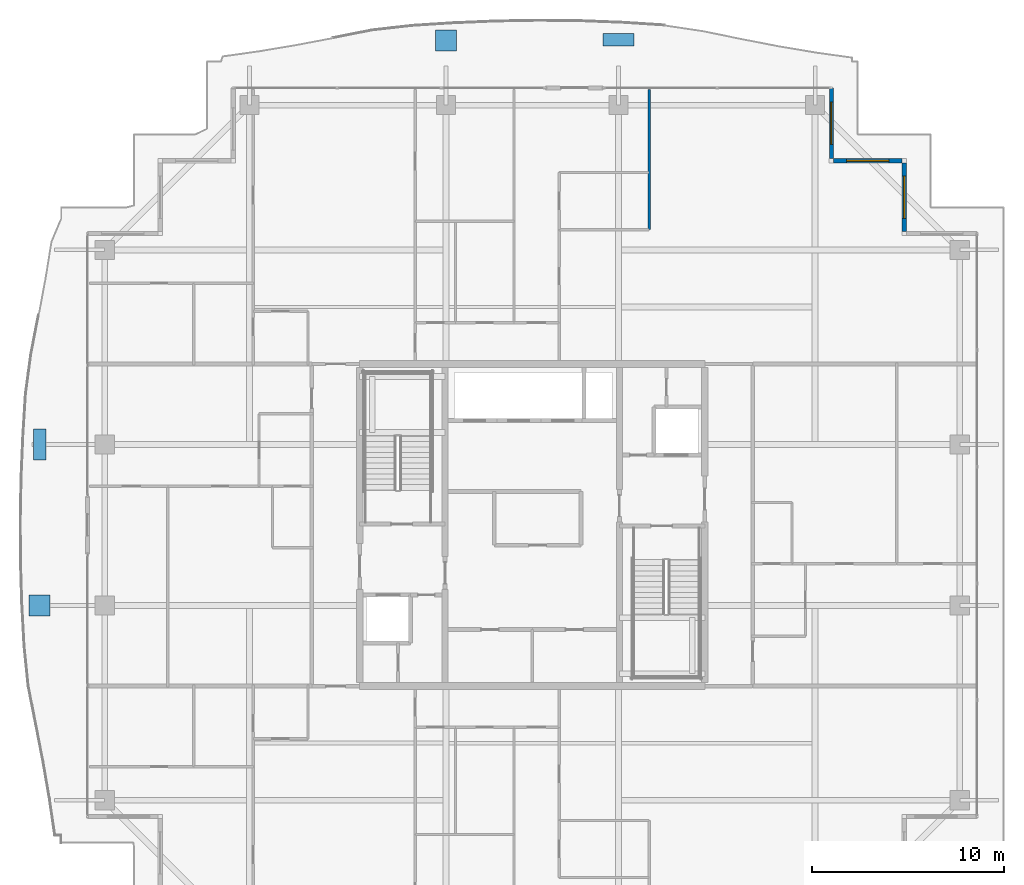
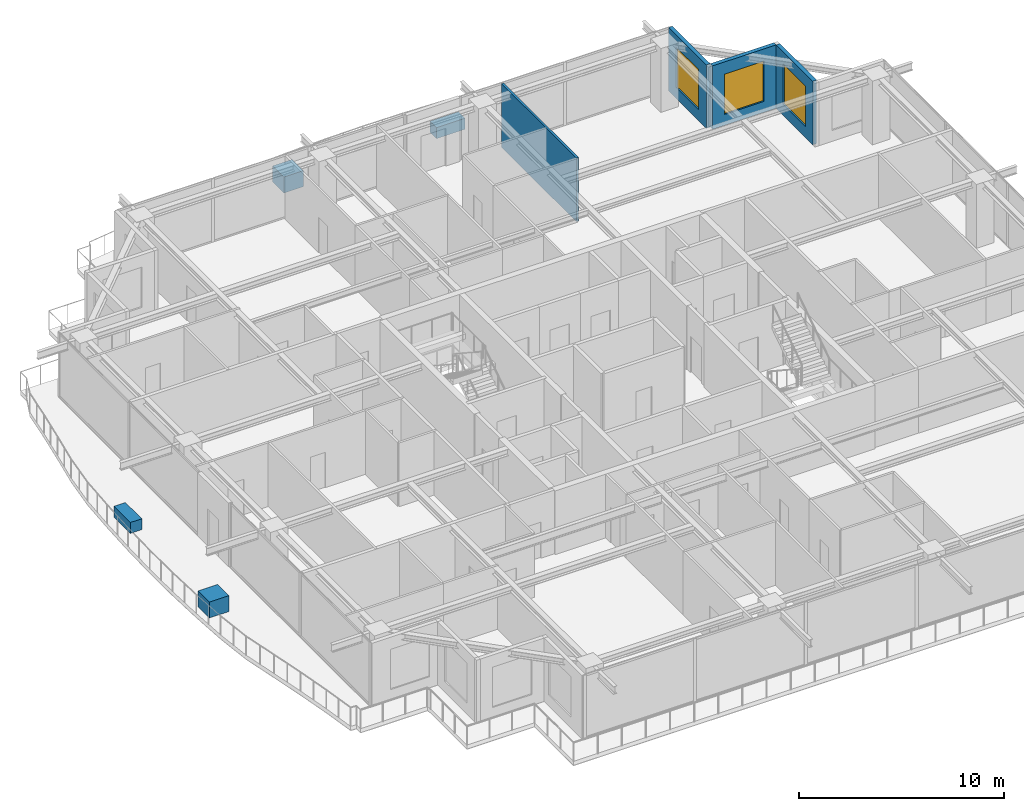
# One storey, part 30 of 37: 4 discrete accessories, 4 walls, 3 windows, 3 openings.
"""IFC4 building model written with IfcOpenShell, lengths in metres."""

from ifc_helpers import new_model, si_unit, direction, frame, frame_2d, origin, origin_2d, place, context, subcontext, project, spatial, rectangle, extrude, source, transform, mapped, material, layer, layer_set, type_object, element, fill, save


model = new_model("IFC4")

# Units and contexts
model_context = context("Model", 3, precision=1e-05, world=origin(), true_north=direction((0.0, 1.0)))
body_context = subcontext(model_context, "Body", "Model", "MODEL_VIEW")
ifc_project = project(units=[si_unit("LENGTHUNIT", "METRE"), si_unit("AREAUNIT", "SQUARE_METRE"), si_unit("VOLUMEUNIT", "CUBIC_METRE"), si_unit("PLANEANGLEUNIT", "RADIAN"), si_unit("MASSUNIT", "GRAM", prefix="KILO")], contexts=[model_context])

# Site, building, storey
site_placement = place(None, origin())
site = spatial("IfcSite", under=ifc_project, at=site_placement, CompositionType="ELEMENT")
building_placement = place(site_placement, origin())
building = spatial("IfcBuilding", under=site, at=building_placement, Name="Serunith Strait Residences", CompositionType="ELEMENT")
storey_placement = place(building_placement, frame((0.0, 0.0, 317.75)))
storey = spatial("IfcBuildingStorey", under=building, at=storey_placement, Name="L79", CompositionType="ELEMENT", Elevation=317.75)

# Wall, opening, window
ifc_material_1 = material(Name="Pale-Champagne Aluminium Insulated Panel", Category="aluminium")
ifc_layer_1 = layer(ifc_material_1, 0.219970703125, Name="Pale-Champagne Aluminium Insulated Panel")
ifc_layer_set_1 = layer_set([ifc_layer_1], Name="Pale-Champagne Aluminium Insulated Panel")
wall_type_1 = type_object("IfcWallType", Name="EW-ALUM-220", PredefinedType="ELEMENTEDWALL", material=ifc_layer_set_1)
wall_1_placement = place(storey_placement, frame((51.800048828125, 40.510009765625, 0.0), z_axis=(0.0, 0.0, 1.0), x_axis=(0.0, 1.0, 0.0)))
wall_1 = element("IfcWall", 1, at=wall_1_placement, inside=storey, type_object=wall_type_1, Name="L79 Girih Serrated Corner Wall 08", PredefinedType="ELEMENTEDWALL", context=body_context, shape_type="SweptSolid", body=[
    extrude(rectangle(XDim=3.580078125, YDim=0.219970703125, at=frame_2d((1.7900390625, 0.0))), origin(), (0.0, 0.0, 1.0), 3.77490234375),
])
opening_1_placement = place(wall_1_placement, frame((0.68994140625, 0.0, 0.64990234375)))
opening_1 = element("IfcOpeningElement", 2, at=opening_1_placement, cuts=wall_1, Name="Opening W-06", PredefinedType="OPENING", context=body_context, shape_type="SweptSolid", body=[
    extrude(rectangle(XDim=2.199951171875, YDim=2.39990234375, at=frame_2d((1.10009765625, 1.199951171875))), frame((0.0, 0.1201171875, 0.0), z_axis=(0.0, -1.0, 0.0), x_axis=(1.0, 0.0, 0.0)), (0.0, 0.0, 1.0), 0.239990234375),
])
ifc_material_2 = material(Name="Crown Penthouse Low-E Operable Window Glass", Category="glass")
window_type = type_object("IfcWindowType", Name="WIN-C6", PartitioningType="TRIPLE_PANEL_VERTICAL", PredefinedType="WINDOW", material=ifc_material_2)
shared_shape_1 = source(origin(), body_context, "Body", "SweptSolid", [
    extrude(rectangle(XDim=2.199951171875, YDim=2.39990234375, at=frame_2d((1.10009765625, 1.199951171875))), frame((0.0, 0.030029296875, 0.0), z_axis=(0.0, -1.0, 0.0), x_axis=(1.0, 0.0, 0.0)), (0.0, 0.0, 1.0), 0.06005859375),
])
window_1_placement = place(opening_1_placement, origin())
window_1 = element("IfcWindow", 3, at=window_1_placement, inside=storey, type_object=window_type, Name="L79 Corner Operable Fritted Window 08", OverallHeight=2.39990234375, OverallWidth=2.199951171875, PartitioningType="SINGLE_PANEL", PredefinedType="WINDOW", context=body_context, shape_type="MappedRepresentation", body=[
    mapped(shared_shape_1, transform((0.0, 0.0, 0.0), scale=1.0)),
])
fill(opening_1, window_1)

wall_2_placement = place(storey_placement, frame((51.68994140625, 44.199951171875, 0.0), z_axis=(0.0, 0.0, 1.0), x_axis=(-1.0, 0.0, 0.0)))
wall_2 = element("IfcWall", 4, at=wall_2_placement, inside=storey, type_object=wall_type_1, Name="L79 Girih Serrated Corner Wall 09", PredefinedType="ELEMENTEDWALL", context=body_context, shape_type="SweptSolid", body=[
    extrude(rectangle(XDim=3.579833984375, YDim=0.219970703125, at=frame_2d((1.7900390625, 0.0))), origin(), (0.0, 0.0, 1.0), 3.77490234375),
])
opening_2_placement = place(wall_2_placement, frame((0.68994140625, 0.0, 0.64990234375)))
opening_2 = element("IfcOpeningElement", 5, at=opening_2_placement, cuts=wall_2, Name="Opening W-06", PredefinedType="OPENING", context=body_context, shape_type="SweptSolid", body=[
    extrude(rectangle(XDim=2.199951171875, YDim=2.39990234375, at=frame_2d((1.10009765625, 1.199951171875))), frame((0.0, 0.1201171875, 0.0), z_axis=(0.0, -1.0, 0.0), x_axis=(1.0, 0.0, 0.0)), (0.0, 0.0, 1.0), 0.239990234375),
])
window_2_placement = place(opening_2_placement, origin())
window_2 = element("IfcWindow", 6, at=window_2_placement, inside=storey, type_object=window_type, Name="L79 Corner Operable Fritted Window 09", OverallHeight=2.39990234375, OverallWidth=2.199951171875, PartitioningType="SINGLE_PANEL", PredefinedType="WINDOW", context=body_context, shape_type="MappedRepresentation", body=[
    mapped(shared_shape_1, transform((0.0, 0.0, 0.0), scale=1.0)),
])
fill(opening_2, window_2)

wall_3_placement = place(storey_placement, frame((48.0, 44.31005859375, 0.0), z_axis=(0.0, 0.0, 1.0), x_axis=(0.0, 1.0, 0.0)))
wall_3 = element("IfcWall", 7, at=wall_3_placement, inside=storey, type_object=wall_type_1, Name="L79 Girih Serrated Corner Wall 10", PredefinedType="ELEMENTEDWALL", context=body_context, shape_type="SweptSolid", body=[
    extrude(rectangle(XDim=3.68994140625, YDim=0.219970703125, at=frame_2d((1.844970703125, 0.0))), origin(), (0.0, 0.0, 1.0), 3.77490234375),
])
opening_3_placement = place(wall_3_placement, frame((0.7451171875, 0.0, 0.64990234375)))
opening_3 = element("IfcOpeningElement", 8, at=opening_3_placement, cuts=wall_3, Name="Opening W-06", PredefinedType="OPENING", context=body_context, shape_type="SweptSolid", body=[
    extrude(rectangle(XDim=2.199951171875, YDim=2.39990234375, at=frame_2d((1.10009765625, 1.199951171875))), frame((0.0, 0.1201171875, 0.0), z_axis=(0.0, -1.0, 0.0), x_axis=(1.0, 0.0, 0.0)), (0.0, 0.0, 1.0), 0.239990234375),
])
window_3_placement = place(opening_3_placement, origin())
window_3 = element("IfcWindow", 9, at=window_3_placement, inside=storey, type_object=window_type, Name="L79 Corner Operable Fritted Window 10", OverallHeight=2.39990234375, OverallWidth=2.199951171875, PartitioningType="SINGLE_PANEL", PredefinedType="WINDOW", context=body_context, shape_type="MappedRepresentation", body=[
    mapped(shared_shape_1, transform((0.0, 0.0, 0.0), scale=1.0)),
])
fill(opening_3, window_3)

# Wall
ifc_material_3 = material(Name="Lightweight steel-stud gypsum partition", Category="steel")
ifc_layer_2 = layer(ifc_material_3, 0.1201171875, Name="Lightweight steel-stud gypsum partition")
ifc_layer_set_2 = layer_set([ifc_layer_2], Name="Lightweight steel-stud gypsum partition")
wall_type_2 = type_object("IfcWallType", Name="IW-PART-120", PredefinedType="PARTITIONING", material=ifc_layer_set_2)
wall_4_placement = place(storey_placement, frame((38.5, 47.905029296875, 0.0), z_axis=(0.0, 0.0, 1.0), x_axis=(0.0, -1.0, 0.0)))
element("IfcWall", 10, at=wall_4_placement, inside=storey, type_object=wall_type_2, Name="L79 Partition Wall 069", PredefinedType="PARTITIONING", context=body_context, shape_type="SweptSolid", body=[
    extrude(rectangle(XDim=7.296142578125, YDim=0.1201171875, at=frame_2d((3.64794921875, 0.0))), origin(), (0.0, 0.0, 1.0), 3.7900390625),
])

# Discrete accessories
ifc_material_4 = material(Name="GFRC Root-Anchored Structural Planter")
discrete_accessory_type_1 = type_object("IfcDiscreteAccessoryType", Name="ACC-PLANTER-TREE", PredefinedType="USERDEFINED", material=ifc_material_4)
shared_shape_2 = source(origin(), body_context, "Body", "SweptSolid", [
    extrude(rectangle(XDim=1.10009765625, YDim=1.10009765625, at=origin_2d()), origin(), (0.0, 0.0, 1.0), 0.949951171875),
])
for number, where, z_axis, x_axis, name in (
    (11, (27.89990234375, 50.46240234375, -0.0498046875), (0.0, 0.0, 1.0), (-1.0, 0.0, 0.0), "L79 Vertical-Forest Tree Planter 06"),
    (12, (6.688232421875, 21.0, -0.0498046875), (0.0, 0.0, 1.0), (0.0, -1.0, 0.0), "L79 Vertical-Forest Tree Planter 14"),
):
    element("IfcDiscreteAccessory", number, at=place(storey_placement, frame(where, z_axis=z_axis, x_axis=x_axis)), inside=storey, type_object=discrete_accessory_type_1, Name=name, ObjectType="PLANTER", PredefinedType="USERDEFINED", context=body_context, shape_type="MappedRepresentation", body=[
        mapped(shared_shape_2, transform((0.0, 0.0, 0.0), scale=1.0)),
    ])
ifc_material_5 = material(Name="GFRC Irrigated Shrub Trough Planter")
discrete_accessory_type_2 = type_object("IfcDiscreteAccessoryType", Name="ACC-PLANTER-SHRUB", PredefinedType="USERDEFINED", material=ifc_material_5)
shared_shape_3 = source(origin(), body_context, "Body", "SweptSolid", [
    extrude(rectangle(XDim=1.60009765625, YDim=0.64990234375, at=origin_2d()), origin(), (0.0, 0.0, 1.0), 0.64990234375),
])
for number, where, z_axis, x_axis, name in (
    (13, (36.89990234375, 50.51953125, -0.050048828125), (0.0, 0.0, 1.0), (-1.0, 0.0, 0.0), "L79 Vertical-Forest Shrub Planter 07"),
    (14, (6.71826171875, 29.39990234375, -0.050048828125), (0.0, 0.0, 1.0), (0.0, -1.0, 0.0), "L79 Vertical-Forest Shrub Planter 15"),
):
    element("IfcDiscreteAccessory", number, at=place(storey_placement, frame(where, z_axis=z_axis, x_axis=x_axis)), inside=storey, type_object=discrete_accessory_type_2, Name=name, ObjectType="PLANTER", PredefinedType="USERDEFINED", context=body_context, shape_type="MappedRepresentation", body=[
        mapped(shared_shape_3, transform((0.0, 0.0, 0.0), scale=1.0)),
    ])

save(model, "model.ifc")
